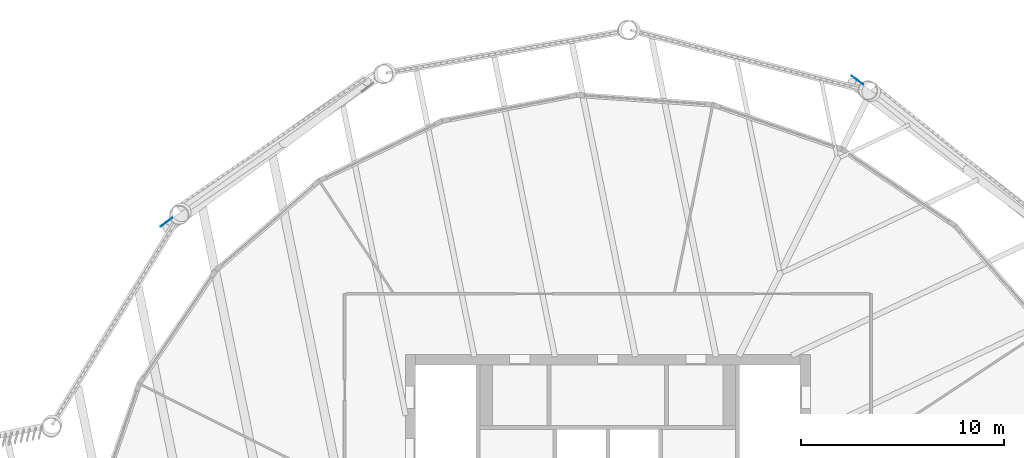
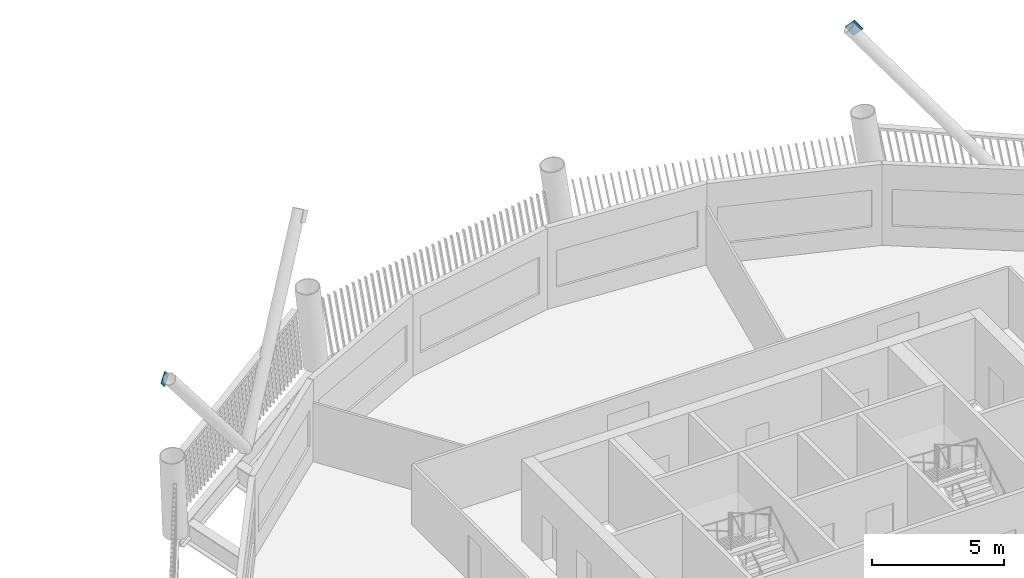
# One storey, part 9 of 21: 2 discrete accessories.
"""IFC4 building model written with IfcOpenShell, lengths in metres."""

from ifc_helpers import new_model, si_unit, direction, frame, origin, origin_2d, place, context, subcontext, project, spatial, rectangle, extrude, material, material_profile, profile_set, type_object, element, save


model = new_model("IFC4")

# Units and contexts
model_context = context("Model", 3, precision=1e-05, world=origin(), true_north=direction((0.0, 1.0)))
body_context = subcontext(model_context, "Body", "Model", "MODEL_VIEW")
ifc_project = project(units=[si_unit("LENGTHUNIT", "METRE"), si_unit("AREAUNIT", "SQUARE_METRE"), si_unit("VOLUMEUNIT", "CUBIC_METRE"), si_unit("PLANEANGLEUNIT", "RADIAN"), si_unit("MASSUNIT", "GRAM", prefix="KILO")], contexts=[model_context])

# Site, building, storey
site_placement = place(None, origin())
site = spatial("IfcSite", under=ifc_project, at=site_placement, CompositionType="ELEMENT")
building_placement = place(site_placement, origin())
building = spatial("IfcBuilding", under=site, at=building_placement, Name="Tarsis Ring Headquarters", CompositionType="ELEMENT")
storey_placement = place(building_placement, frame((0.0, 0.0, 331.39990234375)))
storey = spatial("IfcBuildingStorey", under=building, at=storey_placement, Name="L78", CompositionType="ELEMENT", Elevation=331.39990234375)

# Discrete accessories
ifc_material = material(Name="Structural steel S355", Category="steel")
ifc_material_profile = material_profile(ifc_material, rectangle(XDim=0.02490234375, YDim=0.5, at=origin_2d()), Name="PL 25x500")
ifc_profile_set = profile_set([ifc_material_profile], Name="Structural steel S355")
discrete_accessory_type = type_object("IfcDiscreteAccessoryType", Name="Gusset plate Exo brace 25", PredefinedType="BRACKET", material=ifc_profile_set)
for number, where, z_axis, x_axis, name in (
    (1, (12.196533203125, 26.650634765625, 7.800048828125), (0.54151042615, -0.404790030007, -0.736825277782), (0.598728118984, 0.800952332875, 0.0), "Gusset plate GP5"),
    (2, (-21.929443359375, 19.445068359375, 7.800048828125), (0.545436815567, 0.399433585617, -0.736852421388), (-0.590831213036, 0.806795189439, 0.0), "Gusset plate GP5"),
):
    element("IfcDiscreteAccessory", number, at=place(storey_placement, frame(where, z_axis=z_axis, x_axis=x_axis)), inside=storey, type_object=discrete_accessory_type, Name=name, PredefinedType="BRACKET", context=body_context, shape_type="SweptSolid", body=[
        extrude(rectangle(XDim=0.02490234375, YDim=0.5, at=origin_2d()), origin(), (0.0, 0.0, 1.0), 0.5),
    ])

save(model, "model.ifc")
